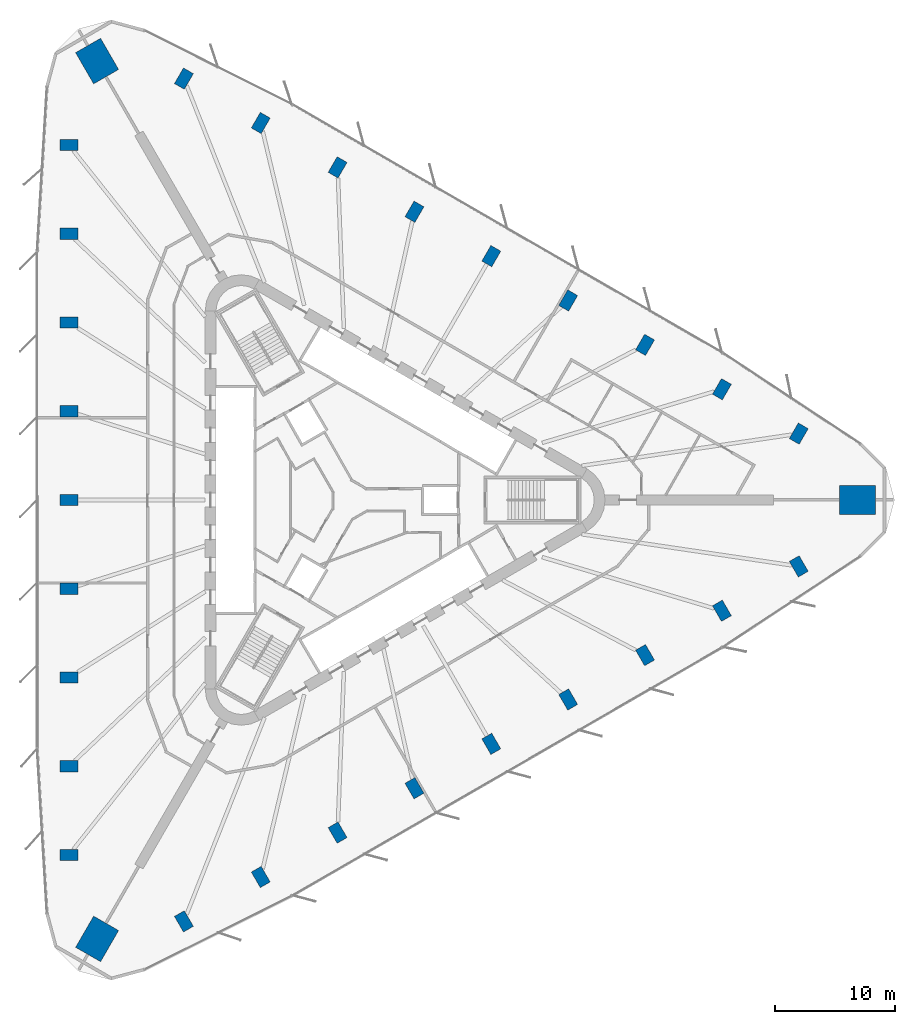
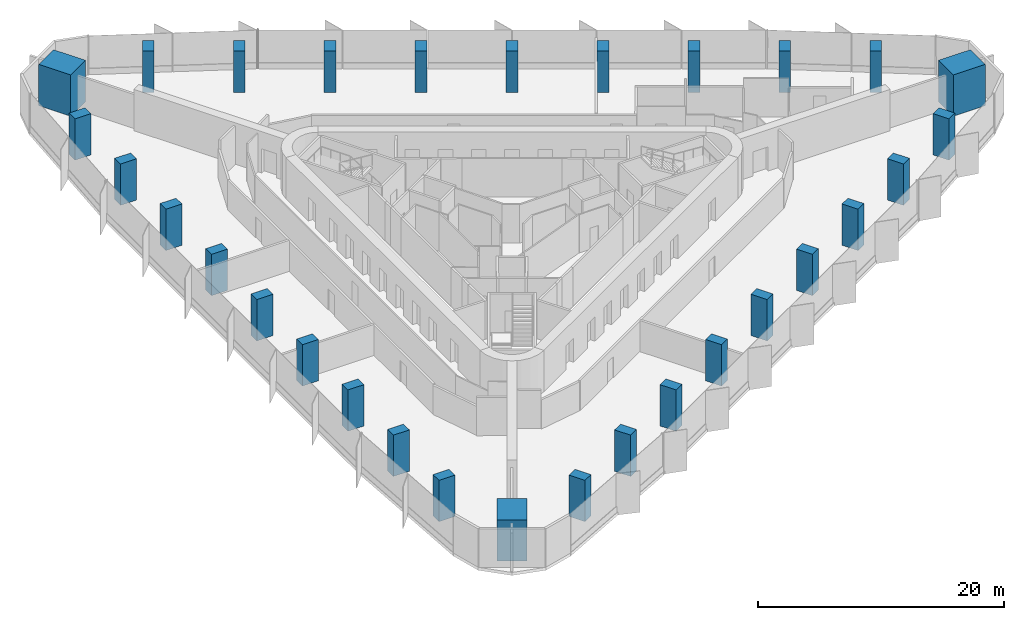
# One storey, part 1 of 14: 30 columns.
"""IFC4 building model written with IfcOpenShell, lengths in metres."""

from ifc_helpers import new_model, si_unit, direction, frame, origin, origin_2d, place, context, subcontext, project, spatial, rectangle, extrude, material, material_profile, profile_set, type_object, element, save


model = new_model("IFC4")

# Units and contexts
model_context = context("Model", 3, precision=1e-05, world=origin(), true_north=direction((0.0, 1.0)))
body_context = subcontext(model_context, "Body", "Model", "MODEL_VIEW")
ifc_project = project(units=[si_unit("LENGTHUNIT", "METRE"), si_unit("AREAUNIT", "SQUARE_METRE"), si_unit("VOLUMEUNIT", "CUBIC_METRE"), si_unit("PLANEANGLEUNIT", "RADIAN"), si_unit("MASSUNIT", "GRAM", prefix="KILO")], contexts=[model_context])

# Site, building, storey
site_placement = place(None, origin())
site = spatial("IfcSite", under=ifc_project, at=site_placement, CompositionType="ELEMENT")
building_placement = place(site_placement, origin())
building = spatial("IfcBuilding", under=site, at=building_placement, Name="Tanit Gate Tower", CompositionType="ELEMENT")
storey_placement = place(building_placement, frame((0.0, 0.0, 49.60009765625)))
storey = spatial("IfcBuildingStorey", under=building, at=storey_placement, Name="L08", CompositionType="ELEMENT", Elevation=49.60009765625)

# Columns
ifc_material_1 = material(Name="Concrete C70/85", Category="concrete")
ifc_material_profile_1 = material_profile(ifc_material_1, rectangle(XDim=3.0, YDim=2.39990234375, at=origin_2d()), Name="RC 3000x2400")
ifc_profile_set_1 = profile_set([ifc_material_profile_1], Name="Concrete C70/85")
column_type_1 = type_object("IfcColumnType", Name="MEGA COLUMN 3000x2400 C70/85", PredefinedType="COLUMN", material=ifc_profile_set_1)
for number, where, z_axis, x_axis, name in (
    (1, (42.211181640625, 0.0, 0.0), (0.0, 0.0, 1.0), (1.0, 0.0, 0.0), "MEGA COLUMN"),
    (2, (-21.105712890625, 36.555908203125, 0.0), (0.0, 0.0, 1.0), (-0.5, 0.866025403784, 0.0), "MEGA COLUMN"),
    (3, (-21.105712890625, -36.555908203125, 0.0), (0.0, 0.0, 1.0), (-0.5, -0.866025403784, 0.0), "MEGA COLUMN"),
):
    element("IfcColumn", number, at=place(storey_placement, frame(where, z_axis=z_axis, x_axis=x_axis)), inside=storey, type_object=column_type_1, Name=name, PredefinedType="COLUMN", context=body_context, shape_type="SweptSolid", body=[
        extrude(rectangle(XDim=3.0, YDim=2.39990234375, at=origin_2d()), origin(), (0.0, 0.0, 1.0), 4.099853515625),
    ])
ifc_material_2 = material(Name="Concrete C60/75", Category="concrete")
ifc_material_profile_2 = material_profile(ifc_material_2, rectangle(XDim=1.5, YDim=0.949951171875, at=origin_2d()), Name="RC 1500x950")
ifc_profile_set_2 = profile_set([ifc_material_profile_2], Name="Concrete C60/75")
column_type_2 = type_object("IfcColumnType", Name="PERIMETER COLUMN 1500x950 C60/75", PredefinedType="COLUMN", material=ifc_profile_set_2)
for number, where, z_axis, x_axis, name in (
    (4, (-23.453369140625, 29.56591796875, 0.0), (0.0, 0.0, 1.0), (-1.0, 0.0, 0.0), "PERIMETER COLUMN"),
    (5, (-23.453369140625, 22.17431640625, 0.0), (0.0, 0.0, 1.0), (-1.0, 0.0, 0.0), "PERIMETER COLUMN"),
    (6, (-23.453369140625, 14.782958984375, 0.0), (0.0, 0.0, 1.0), (-1.0, 0.0, 0.0), "PERIMETER COLUMN"),
    (7, (-23.453369140625, 7.391357421875, 0.0), (0.0, 0.0, 1.0), (-1.0, 0.0, 0.0), "PERIMETER COLUMN"),
    (8, (-23.453369140625, 0.0, 0.0), (0.0, 0.0, 1.0), (-1.0, 0.0, 0.0), "PERIMETER COLUMN"),
    (9, (-23.453369140625, -7.391357421875, 0.0), (0.0, 0.0, 1.0), (-1.0, 0.0, 0.0), "PERIMETER COLUMN"),
    (10, (-23.453369140625, -14.782958984375, 0.0), (0.0, 0.0, 1.0), (-1.0, 0.0, 0.0), "PERIMETER COLUMN"),
    (11, (-23.453369140625, -22.17431640625, 0.0), (0.0, 0.0, 1.0), (-1.0, 0.0, 0.0), "PERIMETER COLUMN"),
    (12, (-23.453369140625, -29.56591796875, 0.0), (0.0, 0.0, 1.0), (-1.0, 0.0, 0.0), "PERIMETER COLUMN"),
    (13, (37.331298828125, 5.5283203125, 0.0), (0.0, 0.0, 1.0), (0.5, 0.866025403784, 0.0), "PERIMETER COLUMN"),
    (14, (30.930419921875, 9.22412109375, 0.0), (0.0, 0.0, 1.0), (0.5, 0.866025403784, 0.0), "PERIMETER COLUMN"),
    (15, (24.529052734375, 12.919921875, 0.0), (0.0, 0.0, 1.0), (0.5, 0.866025403784, 0.0), "PERIMETER COLUMN"),
    (16, (18.1279296875, 16.615478515625, 0.0), (0.0, 0.0, 1.0), (0.5, 0.866025403784, 0.0), "PERIMETER COLUMN"),
    (17, (11.726806640625, 20.311279296875, 0.0), (0.0, 0.0, 1.0), (0.5, 0.866025403784, 0.0), "PERIMETER COLUMN"),
    (18, (5.325439453125, 24.007080078125, 0.0), (0.0, 0.0, 1.0), (0.5, 0.866025403784, 0.0), "PERIMETER COLUMN"),
    (19, (-1.07568359375, 27.70263671875, 0.0), (0.0, 0.0, 1.0), (0.5, 0.866025403784, 0.0), "PERIMETER COLUMN"),
    (20, (-7.476806640625, 31.3984375, 0.0), (0.0, 0.0, 1.0), (0.5, 0.866025403784, 0.0), "PERIMETER COLUMN"),
    (21, (-13.8779296875, 35.093994140625, 0.0), (0.0, 0.0, 1.0), (0.5, 0.866025403784, 0.0), "PERIMETER COLUMN"),
    (22, (-13.8779296875, -35.093994140625, 0.0), (0.0, 0.0, 1.0), (0.5, -0.866025403784, 0.0), "PERIMETER COLUMN"),
    (23, (-7.476806640625, -31.3984375, 0.0), (0.0, 0.0, 1.0), (0.5, -0.866025403784, 0.0), "PERIMETER COLUMN"),
    (24, (-1.07568359375, -27.70263671875, 0.0), (0.0, 0.0, 1.0), (0.5, -0.866025403784, 0.0), "PERIMETER COLUMN"),
    (25, (5.325439453125, -24.007080078125, 0.0), (0.0, 0.0, 1.0), (0.5, -0.866025403784, 0.0), "PERIMETER COLUMN"),
    (26, (11.726806640625, -20.311279296875, 0.0), (0.0, 0.0, 1.0), (0.5, -0.866025403784, 0.0), "PERIMETER COLUMN"),
    (27, (18.1279296875, -16.615478515625, 0.0), (0.0, 0.0, 1.0), (0.5, -0.866025403784, 0.0), "PERIMETER COLUMN"),
    (28, (24.529052734375, -12.919921875, 0.0), (0.0, 0.0, 1.0), (0.5, -0.866025403784, 0.0), "PERIMETER COLUMN"),
    (29, (30.930419921875, -9.22412109375, 0.0), (0.0, 0.0, 1.0), (0.5, -0.866025403784, 0.0), "PERIMETER COLUMN"),
    (30, (37.331298828125, -5.5283203125, 0.0), (0.0, 0.0, 1.0), (0.5, -0.866025403784, 0.0), "PERIMETER COLUMN"),
):
    element("IfcColumn", number, at=place(storey_placement, frame(where, z_axis=z_axis, x_axis=x_axis)), inside=storey, type_object=column_type_2, Name=name, PredefinedType="COLUMN", context=body_context, shape_type="SweptSolid", body=[
        extrude(rectangle(XDim=1.5, YDim=0.949951171875, at=origin_2d()), origin(), (0.0, 0.0, 1.0), 4.099853515625),
    ])

save(model, "model.ifc")
